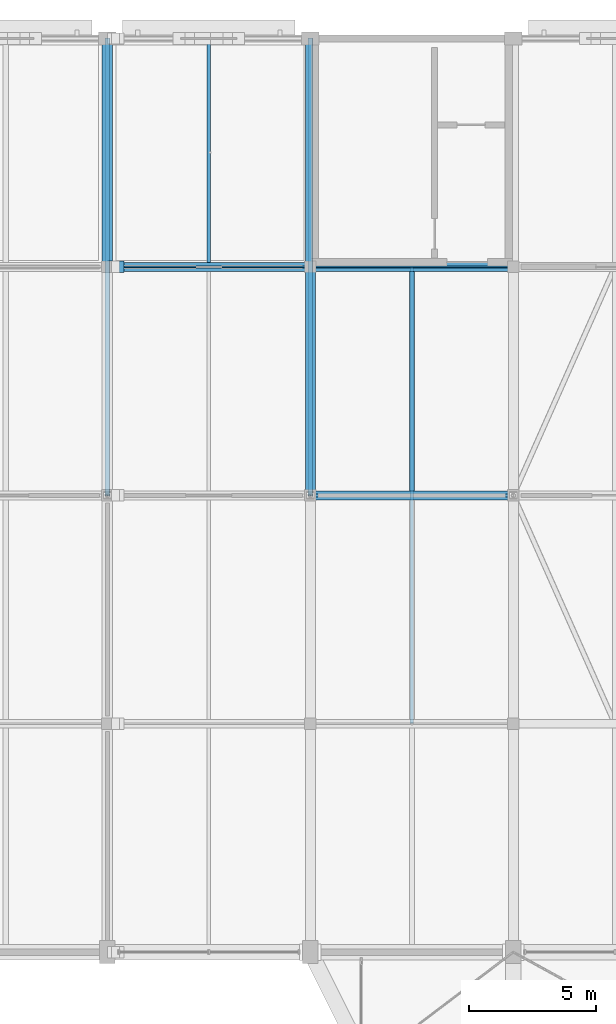
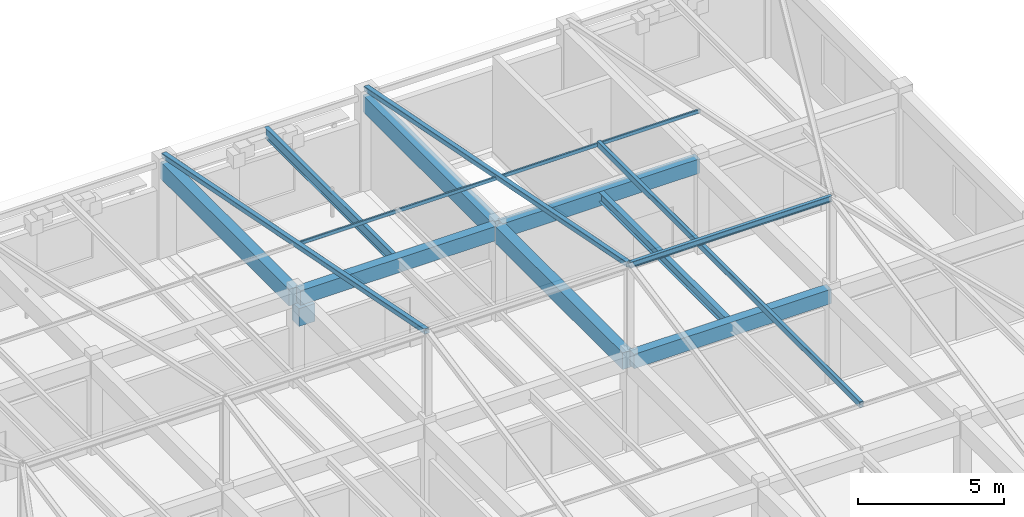
# One storey, part 75 of 126: 10 beams, 5 members.
"""IFC4 building model written with IfcOpenShell, lengths in metres."""

from ifc_helpers import new_model, si_unit, direction, frame, origin, origin_2d, place, context, subcontext, project, spatial, rectangle, hollow_rectangle, i_section, extrude, material, material_profile, profile_set, type_object, element, save


model = new_model("IFC4")

# Units and contexts
model_context = context("Model", 3, precision=1e-05, world=origin(), true_north=direction((0.0, 1.0)))
body_context = subcontext(model_context, "Body", "Model", "MODEL_VIEW")
ifc_project = project(units=[si_unit("LENGTHUNIT", "METRE"), si_unit("AREAUNIT", "SQUARE_METRE"), si_unit("VOLUMEUNIT", "CUBIC_METRE"), si_unit("PLANEANGLEUNIT", "RADIAN"), si_unit("MASSUNIT", "GRAM", prefix="KILO")], contexts=[model_context])

# Site, building, storey
site_placement = place(None, origin())
site = spatial("IfcSite", under=ifc_project, at=site_placement, CompositionType="ELEMENT")
building_placement = place(site_placement, origin())
building = spatial("IfcBuilding", under=site, at=building_placement, Name="Varnabhumi Central Station", CompositionType="ELEMENT")
storey_placement = place(building_placement, frame((0.0, 0.0, 16.199951171875)))
storey = spatial("IfcBuildingStorey", under=building, at=storey_placement, Name="L03", CompositionType="ELEMENT", Elevation=16.199951171875)

# Beams
ifc_material_1 = material(Name="Structural steel E350", Category="steel")
ifc_material_profile_1 = material_profile(ifc_material_1, i_section(OverallWidth=0.14990234375, OverallDepth=0.449951171875, WebThickness=0.009521484375, FlangeThickness=0.017333984375, FilletRadius=0.014892578125, at=origin_2d()), Name="Structural steel E350", Category="steel")
ifc_profile_set_1 = profile_set([ifc_material_profile_1], Name="Structural steel E350")
beam_type_1 = type_object("IfcBeamType", Name="BM-JST-ISMB450", PredefinedType="JOIST", material=ifc_profile_set_1)
beam_1_placement = place(storey_placement, frame((124.0, 107.175048828125, 3.72509765625), z_axis=(0.0, 1.0, 0.0), x_axis=(-1.0, 0.0, 0.0)))
element("IfcBeam", 1, at=beam_1_placement, inside=storey, type_object=beam_type_1, Name="Secondary Joist L03-16/17:N-P", PredefinedType="JOIST", context=body_context, shape_type="SweptSolid", body=[
    extrude(i_section(OverallWidth=0.14990234375, OverallDepth=0.449951171875, WebThickness=0.009521484375, FlangeThickness=0.017333984375, FilletRadius=0.014892578125, at=origin_2d()), origin(), (0.0, 0.0, 1.0), 8.75),
])
ifc_material_profile_2 = material_profile(ifc_material_1, i_section(OverallWidth=0.125, OverallDepth=0.25, WebThickness=0.0068359375, FlangeThickness=0.012451171875, FilletRadius=0.012939453125, at=origin_2d()), Name="Structural steel E350", Category="steel")
ifc_profile_set_2 = profile_set([ifc_material_profile_2], Name="Structural steel E350")
beam_type_2 = type_object("IfcBeamType", Name="BM-PUR-ISMB250", PredefinedType="JOIST", material=ifc_profile_set_2)
beam_2_placement = place(storey_placement, frame((128.0, 98.0, 7.630126953125), z_axis=(1.0, 0.0, 0.0), x_axis=(0.0, 1.0, 0.0)))
element("IfcBeam", 2, at=beam_2_placement, inside=storey, type_object=beam_type_2, Name="Mission Roof Ridge Beam NW4-5", PredefinedType="JOIST", context=body_context, shape_type="SweptSolid", body=[
    extrude(i_section(OverallWidth=0.125, OverallDepth=0.25, WebThickness=0.0068359375, FlangeThickness=0.012451171875, FilletRadius=0.012939453125, at=origin_2d()), origin(), (0.0, 0.0, 1.0), 8.0),
])
ifc_material_2 = material(Name="Concrete M40", Category="concrete")
ifc_material_profile_3 = material_profile(ifc_material_2, rectangle(XDim=0.35009765625, YDim=0.60009765625, at=origin_2d()), Name="Concrete M40", Category="concrete")
ifc_profile_set_3 = profile_set([ifc_material_profile_3], Name="Concrete M40")
beam_type_3 = type_object("IfcBeamType", Name="BM-RC-350x600", PredefinedType="BEAM", material=ifc_profile_set_3)
for number, where, z_axis, x_axis, name in (
    (3, (120.10009765625, 107.0, 3.650146484375), (1.0, 0.0, 0.0), (0.0, 1.0, 0.0), "Beam L03-N:16-17"),
    (4, (128.10009765625, 98.0, 3.650146484375), (1.0, 0.0, 0.0), (0.0, 1.0, 0.0), "Beam L03-M:17-18"),
    (5, (128.10009765625, 107.0, 3.650146484375), (1.0, 0.0, 0.0), (0.0, 1.0, 0.0), "Beam L03-N:17-18"),
):
    element("IfcBeam", number, at=place(storey_placement, frame(where, z_axis=z_axis, x_axis=x_axis)), inside=storey, type_object=beam_type_3, Name=name, PredefinedType="BEAM", context=body_context, shape_type="SweptSolid", body=[
        extrude(rectangle(XDim=0.35009765625, YDim=0.60009765625, at=origin_2d()), origin(), (0.0, 0.0, 1.0), 7.7998046875),
    ])
ifc_material_profile_4 = material_profile(ifc_material_2, rectangle(XDim=0.449951171875, YDim=0.75, at=origin_2d()), Name="Concrete M40", Category="concrete")
ifc_profile_set_4 = profile_set([ifc_material_profile_4], Name="Concrete M40")
beam_type_4 = type_object("IfcBeamType", Name="BM-RC-450x750", PredefinedType="BEAM", material=ifc_profile_set_4)
beam_3_placement = place(storey_placement, frame((120.0, 107.0, 2.89501953125), z_axis=(1.0, 0.0, 0.0), x_axis=(0.0, 1.0, 0.0)))
element("IfcBeam", 6, at=beam_3_placement, inside=storey, type_object=beam_type_4, Name="Movement Joint 650mm Corbel Seat L03-N-16", PredefinedType="BEAM", context=body_context, shape_type="SweptSolid", body=[
    extrude(rectangle(XDim=0.449951171875, YDim=0.75, at=origin_2d()), origin(), (0.0, 0.0, 1.0), 0.64990234375),
])
ifc_material_profile_5 = material_profile(ifc_material_2, rectangle(XDim=0.39990234375, YDim=0.699951171875, at=origin_2d()), Name="Concrete M40", Category="concrete")
ifc_profile_set_5 = profile_set([ifc_material_profile_5], Name="Concrete M40")
beam_type_5 = type_object("IfcBeamType", Name="BM-RC-700x400", PredefinedType="BEAM", material=ifc_profile_set_5)
for number, where, z_axis, x_axis, name in (
    (7, (128.0, 98.10009765625, 3.60009765625), (0.0, 1.0, 0.0), (-1.0, 0.0, 0.0), "Beam L03-17:M-N"),
    (8, (120.0, 107.10009765625, 3.60009765625), (0.0, 1.0, 0.0), (-1.0, 0.0, 0.0), "Beam L03-16:N-P"),
    (9, (128.0, 107.10009765625, 3.60009765625), (0.0, 1.0, 0.0), (-1.0, 0.0, 0.0), "Beam L03-17:N-P"),
):
    element("IfcBeam", number, at=place(storey_placement, frame(where, z_axis=z_axis, x_axis=x_axis)), inside=storey, type_object=beam_type_5, Name=name, PredefinedType="BEAM", context=body_context, shape_type="SweptSolid", body=[
        extrude(rectangle(XDim=0.39990234375, YDim=0.699951171875, at=origin_2d()), origin(), (0.0, 0.0, 1.0), 8.7998046875),
    ])
ifc_material_profile_6 = material_profile(ifc_material_1, i_section(OverallWidth=0.199951171875, OverallDepth=0.39990234375, WebThickness=0.008544921875, FlangeThickness=0.012939453125, FilletRadius=0.012939453125, at=origin_2d()), Name="Structural steel E350", Category="steel")
ifc_profile_set_6 = profile_set([ifc_material_profile_6], Name="Structural steel E350")
beam_type_6 = type_object("IfcBeamType", Name="BM-SEC-ISWB400", PredefinedType="JOIST", material=ifc_profile_set_6)
beam_4_placement = place(storey_placement, frame((132.0, 98.175048828125, 3.75), z_axis=(0.0, 1.0, 0.0), x_axis=(-1.0, 0.0, 0.0)))
element("IfcBeam", 10, at=beam_4_placement, inside=storey, type_object=beam_type_6, Name="Secondary Joist L03-17/18:M-N", PredefinedType="JOIST", context=body_context, shape_type="SweptSolid", body=[
    extrude(i_section(OverallWidth=0.199951171875, OverallDepth=0.39990234375, WebThickness=0.008544921875, FlangeThickness=0.012939453125, FilletRadius=0.012939453125, at=origin_2d()), origin(), (0.0, 0.0, 1.0), 8.64990234375),
])

# Members
ifc_material_profile_7 = material_profile(ifc_material_1, hollow_rectangle(XDim=0.14990234375, YDim=0.25, WallThickness=0.010009765625, InnerFilletRadius=0.010009765625, OuterFilletRadius=0.02001953125, at=origin_2d()), Name="Structural steel E350", Category="steel")
ifc_profile_set_7 = profile_set([ifc_material_profile_7], Name="Structural steel E350")
member_type_1 = type_object("IfcMemberType", Name="MBR-COLLAR-RHS", PredefinedType="COLLAR", material=ifc_profile_set_7)
member_placement = place(storey_placement, frame((132.0, 89.0, 5.844970703125), z_axis=(0.0, 1.0, 0.0), x_axis=(-1.0, 0.0, 0.0)))
element("IfcMember", 11, at=member_placement, inside=storey, type_object=member_type_1, Name="Mission Roof Collar Tie NW4-5", PredefinedType="COLLAR", context=body_context, shape_type="SweptSolid", body=[
    extrude(hollow_rectangle(XDim=0.14990234375, YDim=0.25, WallThickness=0.010009765625, InnerFilletRadius=0.010009765625, OuterFilletRadius=0.02001953125, at=origin_2d()), origin(), (0.0, 0.0, 1.0), 18.0),
])
ifc_material_profile_8 = material_profile(ifc_material_1, hollow_rectangle(XDim=0.074951171875, YDim=0.14990234375, WallThickness=0.006103515625, InnerFilletRadius=0.006103515625, OuterFilletRadius=0.011962890625, at=origin_2d()), Name="Structural steel E350", Category="steel")
ifc_profile_set_8 = profile_set([ifc_material_profile_8], Name="Structural steel E350")
member_type_2 = type_object("IfcMemberType", Name="MBR-PURL-RHS150", PredefinedType="PURLIN", material=ifc_profile_set_8)
for number, where, z_axis, x_axis, name in (
    (12, (120.0, 107.0, 5.824951171875), (1.0, 0.0, 0.0), (0.0, 1.0, 0.0), "Mission Roof Purlin NW4-4-N"),
    (13, (128.0, 107.0, 5.824951171875), (1.0, 0.0, 0.0), (0.0, 1.0, 0.0), "Mission Roof Purlin NW4-5-N"),
):
    element("IfcMember", number, at=place(storey_placement, frame(where, z_axis=z_axis, x_axis=x_axis)), inside=storey, type_object=member_type_2, Name=name, PredefinedType="PURLIN", context=body_context, shape_type="SweptSolid", body=[
        extrude(hollow_rectangle(XDim=0.074951171875, YDim=0.14990234375, WallThickness=0.006103515625, InnerFilletRadius=0.006103515625, OuterFilletRadius=0.011962890625, at=origin_2d()), origin(), (0.0, 0.0, 1.0), 8.0),
    ])
ifc_material_profile_9 = material_profile(ifc_material_1, hollow_rectangle(XDim=0.199951171875, YDim=0.199951171875, WallThickness=0.010009765625, InnerFilletRadius=0.010009765625, OuterFilletRadius=0.02001953125, at=origin_2d()), Name="Structural steel E350", Category="steel")
ifc_profile_set_9 = profile_set([ifc_material_profile_9], Name="Structural steel E350")
member_type_3 = type_object("IfcMemberType", Name="MBR-RAFT-SHS200", PredefinedType="RAFTER", material=ifc_profile_set_9)
for number, where, z_axis, x_axis, name in (
    (14, (120.0, 116.0, 4.110107421875), (0.0, -0.981100761594, 0.193497533832), (1.0, 0.0, 0.0), "Mission Roof North Rafter NW4-4"),
    (15, (128.0, 116.0, 4.110107421875), (0.0, -0.981100761594, 0.193497533832), (1.0, 0.0, 0.0), "Mission Roof North Rafter NW4-5"),
):
    element("IfcMember", number, at=place(storey_placement, frame(where, z_axis=z_axis, x_axis=x_axis)), inside=storey, type_object=member_type_3, Name=name, PredefinedType="RAFTER", context=body_context, shape_type="SweptSolid", body=[
        extrude(hollow_rectangle(XDim=0.199951171875, YDim=0.199951171875, WallThickness=0.010009765625, InnerFilletRadius=0.010009765625, OuterFilletRadius=0.02001953125, at=origin_2d()), origin(), (0.0, 0.0, 1.0), 18.3466796875),
    ])

save(model, "model.ifc")
